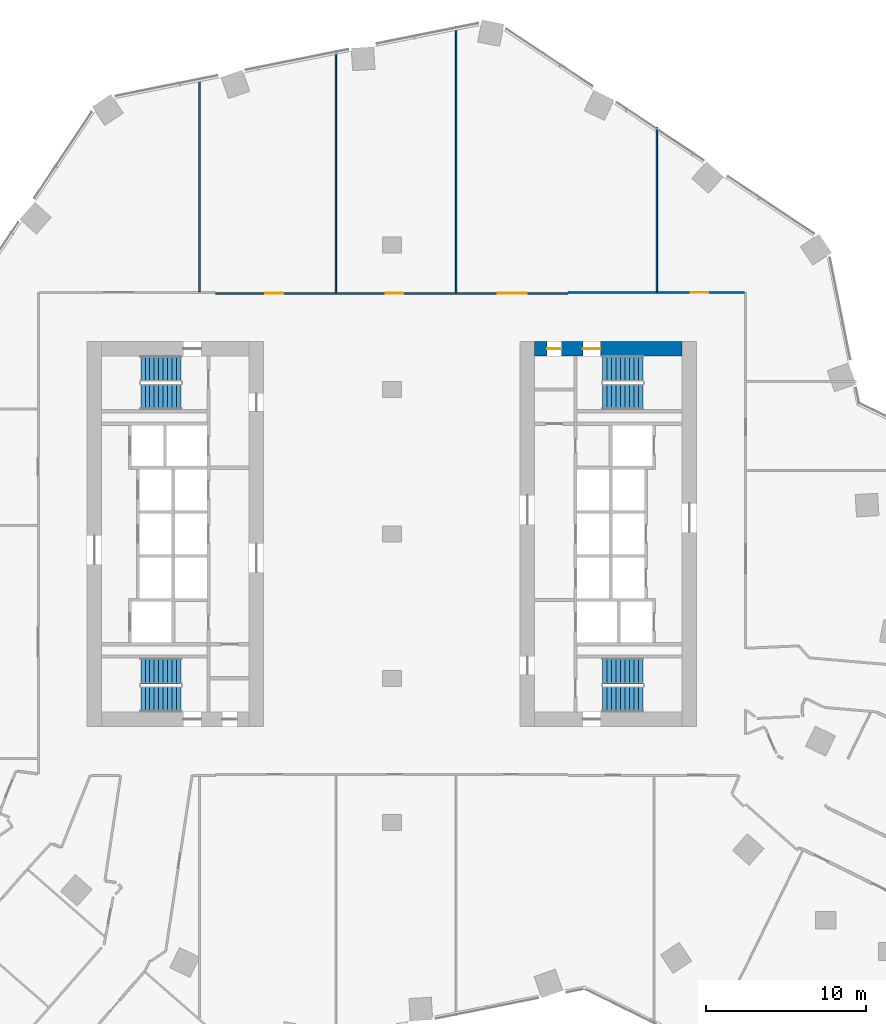
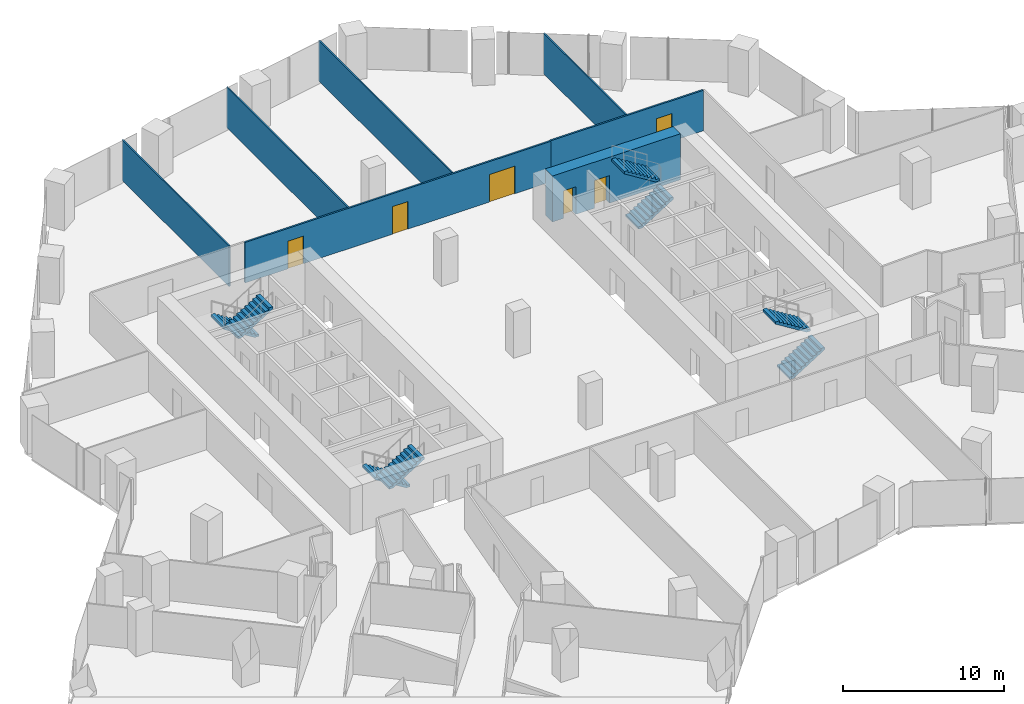
# One storey, part 32 of 38: 8 stair flights, 7 walls, 6 doors, 6 openings, 4 elements without a shape of their own.
"""IFC4 building model written with IfcOpenShell, lengths in metres."""

from ifc_helpers import new_model, si_unit, direction, frame, frame_2d, origin, place, context, subcontext, project, spatial, polyline, rectangle, outline, extrude, material, layer, layer_set, type_object, element, fill, aggregate, save


model = new_model("IFC4")

# Units and contexts
model_context = context("Model", 3, precision=1e-05, world=origin(), true_north=direction((0.0, 1.0)))
body_context = subcontext(model_context, "Body", "Model", "MODEL_VIEW")
ifc_project = project(units=[si_unit("LENGTHUNIT", "METRE"), si_unit("AREAUNIT", "SQUARE_METRE"), si_unit("VOLUMEUNIT", "CUBIC_METRE"), si_unit("PLANEANGLEUNIT", "RADIAN"), si_unit("MASSUNIT", "GRAM", prefix="KILO")], contexts=[model_context])

# Site, building, storey
site_placement = place(None, origin())
site = spatial("IfcSite", under=ifc_project, at=site_placement, CompositionType="ELEMENT")
building_placement = place(site_placement, origin())
building = spatial("IfcBuilding", under=site, at=building_placement, Name="Orlundy Tower", CompositionType="ELEMENT")
storey_placement = place(building_placement, frame((0.0, 0.0, 62.300048828125)))
storey = spatial("IfcBuildingStorey", under=building, at=storey_placement, Name="L14", CompositionType="ELEMENT", Elevation=62.300048828125)

# Wall, openings, doors
ifc_material_1 = material(Name="Concrete C80/95", Category="concrete")
ifc_layer_1 = layer(ifc_material_1, 0.89990234375)
ifc_layer_set_1 = layer_set([ifc_layer_1], Name="CORE WALL 900 C80/95")
wall_type_1 = type_object("IfcWallType", Name="CORE WALL 900 C80/95", PredefinedType="SHEAR", material=ifc_layer_set_1)
wall_1_placement = place(storey_placement, frame((8.89990234375, 11.550048828125, 0.0), z_axis=(0.0, 0.0, 1.0), x_axis=(1.0, 0.0, 0.0)))
wall_1 = element("IfcWall", 1, at=wall_1_placement, inside=storey, type_object=wall_type_1, Name="Core wall E-N L14", PredefinedType="SHEAR", context=body_context, shape_type="SweptSolid", body=[
    extrude(rectangle(XDim=9.2001953125, YDim=0.89990234375, at=frame_2d((4.60009765625, 0.0))), origin(), (0.0, 0.0, 1.0), 3.5),
])
opening_1_placement = place(wall_1_placement, frame((3.0, 0.0, 0.0)))
opening_1 = element("IfcOpeningElement", 2, at=opening_1_placement, cuts=wall_1, Name="Opening 13062", PredefinedType="OPENING", context=body_context, shape_type="SweptSolid", body=[
    extrude(rectangle(XDim=1.10009765625, YDim=2.10009765625, at=frame_2d((0.550048828125, 1.050048828125))), frame((0.0, 0.4599609375, 0.0), z_axis=(0.0, -1.0, 0.0), x_axis=(1.0, 0.0, 0.0)), (0.0, 0.0, 1.0), 0.919921875),
])
opening_2_placement = place(wall_1_placement, frame((0.77001953125, 0.0, 0.0)))
opening_2 = element("IfcOpeningElement", 3, at=opening_2_placement, cuts=wall_1, Name="Opening 13064", PredefinedType="OPENING", context=body_context, shape_type="SweptSolid", body=[
    extrude(rectangle(XDim=0.89990234375, YDim=2.10009765625, at=frame_2d((0.449951171875, 1.050048828125))), frame((0.0, 0.4599609375, 0.0), z_axis=(0.0, -1.0, 0.0), x_axis=(1.0, 0.0, 0.0)), (0.0, 0.0, 1.0), 0.919921875),
])
ifc_material_2 = material(Name="Timber door set", Category="wood")
door_type_1 = type_object("IfcDoorType", Name="Room Door 900x2100", OperationType="SINGLE_SWING_LEFT", PredefinedType="DOOR", material=ifc_material_2)
door_1_placement = place(opening_2_placement, origin())
door_1 = element("IfcDoor", 4, at=door_1_placement, inside=storey, type_object=door_type_1, Name="Store door 13064", OperationType="SINGLE_SWING_LEFT", OverallHeight=2.10009765625, OverallWidth=0.89990234375, PredefinedType="DOOR", context=body_context, shape_type="SweptSolid", body=[
    extrude(rectangle(XDim=0.89990234375, YDim=2.10009765625, at=frame_2d((0.449951171875, 1.050048828125))), frame((0.0, 0.02490234375, 0.0), z_axis=(0.0, -1.0, 0.0), x_axis=(1.0, 0.0, 0.0)), (0.0, 0.0, 1.0), 0.050048828125),
])
fill(opening_2, door_1)
ifc_material_3 = material(Name="Steel door set", Category="steel")
door_type_2 = type_object("IfcDoorType", Name="Stair Door 1100x2100", OperationType="SINGLE_SWING_LEFT", PredefinedType="DOOR", material=ifc_material_3)
door_2_placement = place(opening_1_placement, origin())
door_2 = element("IfcDoor", 5, at=door_2_placement, inside=storey, type_object=door_type_2, Name="Stair door 13062", OperationType="SINGLE_SWING_LEFT", OverallHeight=2.10009765625, OverallWidth=1.10009765625, PredefinedType="DOOR", context=body_context, shape_type="SweptSolid", body=[
    extrude(rectangle(XDim=1.10009765625, YDim=2.10009765625, at=frame_2d((0.550048828125, 1.050048828125))), frame((0.0, 0.02490234375, 0.0), z_axis=(0.0, -1.0, 0.0), x_axis=(1.0, 0.0, 0.0)), (0.0, 0.0, 1.0), 0.050048828125),
])
fill(opening_1, door_2)

# Walls
ifc_material_4 = material(Name="Gypsum board partition")
ifc_layer_2 = layer(ifc_material_4, 0.10009765625)
ifc_layer_set_2 = layer_set([ifc_layer_2], Name="Floor partition 100")
wall_type_2 = type_object("IfcWallType", Name="Floor partition 100", PredefinedType="PARTITIONING", material=ifc_layer_set_2)
wall_2_placement = place(storey_placement, frame((16.52099609375, 15.114013671875, 0.0), z_axis=(0.0, 0.0, 1.0), x_axis=(0.0, 1.0, 0.0)))
element("IfcWall", 6, at=wall_2_placement, inside=storey, type_object=wall_type_2, Name="wall-int-L14-088", PredefinedType="PARTITIONING", context=body_context, shape_type="SweptSolid", body=[
    extrude(rectangle(XDim=10.22802734375, YDim=0.10009765625, at=frame_2d((5.114013671875, 0.0))), origin(), (0.0, 0.0, 1.0), 3.079833984375),
])
wall_3_placement = place(storey_placement, frame((4.0, 15.06298828125, 0.0), z_axis=(0.0, 0.0, 1.0), x_axis=(0.0, 1.0, 0.0)))
element("IfcWall", 7, at=wall_3_placement, inside=storey, type_object=wall_type_2, Name="wall-int-L14-091", PredefinedType="PARTITIONING", context=body_context, shape_type="SweptSolid", body=[
    extrude(rectangle(XDim=16.590087890625, YDim=0.10009765625, at=frame_2d((8.294921875, 0.0))), origin(), (0.0, 0.0, 1.0), 3.079833984375),
])
wall_4_placement = place(storey_placement, frame((-3.4951171875, 15.06298828125, 0.0), z_axis=(0.0, 0.0, 1.0), x_axis=(0.0, 1.0, 0.0)))
element("IfcWall", 8, at=wall_4_placement, inside=storey, type_object=wall_type_2, Name="wall-int-L14-093", PredefinedType="PARTITIONING", context=body_context, shape_type="SweptSolid", body=[
    extrude(rectangle(XDim=15.087890625, YDim=0.10009765625, at=frame_2d((7.5439453125, 0.0))), origin(), (0.0, 0.0, 1.0), 3.079833984375),
])
wall_5_placement = place(storey_placement, frame((-12.0, 15.114013671875, 0.0), z_axis=(0.0, 0.0, 1.0), x_axis=(0.0, 1.0, 0.0)))
element("IfcWall", 9, at=wall_5_placement, inside=storey, type_object=wall_type_2, Name="wall-int-L14-095", PredefinedType="PARTITIONING", context=body_context, shape_type="SweptSolid", body=[
    extrude(rectangle(XDim=13.3330078125, YDim=0.10009765625, at=frame_2d((6.66650390625, 0.0))), origin(), (0.0, 0.0, 1.0), 3.079833984375),
])

# Wall, openings, doors
ifc_material_5 = material(Name="Gypsum board partition, double layer")
ifc_layer_3 = layer(ifc_material_5, 0.125)
ifc_layer_set_3 = layer_set([ifc_layer_3], Name="Floor partition 125")
wall_type_3 = type_object("IfcWallType", Name="Floor partition 125", PredefinedType="PARTITIONING", material=ifc_layer_set_3)
wall_6_placement = place(storey_placement, frame((-10.989990234375, 15.0009765625, 0.0), z_axis=(0.0, 0.0, 1.0), x_axis=(1.0, 0.0, 0.0)))
wall_6 = element("IfcWall", 10, at=wall_6_placement, inside=storey, type_object=wall_type_3, Name="wall-int-L14-050", PredefinedType="PARTITIONING", context=body_context, shape_type="SweptSolid", body=[
    extrude(rectangle(XDim=21.97998046875, YDim=0.125, at=frame_2d((10.989990234375, 0.0))), origin(), (0.0, 0.0, 1.0), 3.079833984375),
])
opening_3_placement = place(wall_6_placement, frame((17.590087890625, 0.0, 0.0)))
opening_3 = element("IfcOpeningElement", 11, at=opening_3_placement, cuts=wall_6, Name="Opening 13136", PredefinedType="OPENING", context=body_context, shape_type="SweptSolid", body=[
    extrude(rectangle(XDim=1.800048828125, YDim=2.10009765625, at=frame_2d((0.89990234375, 1.050048828125))), frame((0.0, 0.072509765625, 0.0), z_axis=(0.0, -1.0, 0.0), x_axis=(1.0, 0.0, 0.0)), (0.0, 0.0, 1.0), 0.14501953125),
])
opening_4_placement = place(wall_6_placement, frame((10.594970703125, 0.0, 0.0)))
opening_4 = element("IfcOpeningElement", 12, at=opening_4_placement, cuts=wall_6, Name="Opening 13137", PredefinedType="OPENING", context=body_context, shape_type="SweptSolid", body=[
    extrude(rectangle(XDim=1.10009765625, YDim=2.10009765625, at=frame_2d((0.550048828125, 1.050048828125))), frame((0.0, 0.072509765625, 0.0), z_axis=(0.0, -1.0, 0.0), x_axis=(1.0, 0.0, 0.0)), (0.0, 0.0, 1.0), 0.14501953125),
])
opening_5_placement = place(wall_6_placement, frame((3.10009765625, 0.0, 0.0)))
opening_5 = element("IfcOpeningElement", 13, at=opening_5_placement, cuts=wall_6, Name="Opening 13138", PredefinedType="OPENING", context=body_context, shape_type="SweptSolid", body=[
    extrude(rectangle(XDim=1.10009765625, YDim=2.10009765625, at=frame_2d((0.550048828125, 1.050048828125))), frame((0.0, 0.072509765625, 0.0), z_axis=(0.0, -1.0, 0.0), x_axis=(1.0, 0.0, 0.0)), (0.0, 0.0, 1.0), 0.14501953125),
])
ifc_material_6 = material(Name="Timber door leaf", Category="wood")
door_type_3 = type_object("IfcDoorType", Name="Floor door double 1800 FD30S", OperationType="NOTDEFINED", PredefinedType="DOOR", material=ifc_material_6)
door_3_placement = place(opening_3_placement, origin())
door_3 = element("IfcDoor", 14, at=door_3_placement, inside=storey, type_object=door_type_3, Name="Door 13136", OperationType="DOUBLE_DOOR_SINGLE_SWING", OverallHeight=2.10009765625, OverallWidth=1.800048828125, PredefinedType="DOOR", context=body_context, shape_type="SweptSolid", body=[
    extrude(rectangle(XDim=1.800048828125, YDim=2.10009765625, at=frame_2d((0.89990234375, 1.050048828125))), frame((0.0, 0.02490234375, 0.0), z_axis=(0.0, -1.0, 0.0), x_axis=(1.0, 0.0, 0.0)), (0.0, 0.0, 1.0), 0.050048828125),
])
fill(opening_3, door_3)
ifc_material_7 = material(Name="Timber door leaf", Category="wood")
door_type_4 = type_object("IfcDoorType", Name="Floor door xwide 1100 FD30S", OperationType="NOTDEFINED", PredefinedType="DOOR", material=ifc_material_7)
door_4_placement = place(opening_4_placement, origin())
door_4 = element("IfcDoor", 15, at=door_4_placement, inside=storey, type_object=door_type_4, Name="Door 13137", OperationType="SINGLE_SWING_RIGHT", OverallHeight=2.10009765625, OverallWidth=1.10009765625, PredefinedType="DOOR", context=body_context, shape_type="SweptSolid", body=[
    extrude(rectangle(XDim=1.10009765625, YDim=2.10009765625, at=frame_2d((0.550048828125, 1.050048828125))), frame((0.0, 0.02490234375, 0.0), z_axis=(0.0, -1.0, 0.0), x_axis=(1.0, 0.0, 0.0)), (0.0, 0.0, 1.0), 0.050048828125),
])
fill(opening_4, door_4)
door_5_placement = place(opening_5_placement, origin())
door_5 = element("IfcDoor", 16, at=door_5_placement, inside=storey, type_object=door_type_4, Name="Door 13138", OperationType="SINGLE_SWING_LEFT", OverallHeight=2.10009765625, OverallWidth=1.10009765625, PredefinedType="DOOR", context=body_context, shape_type="SweptSolid", body=[
    extrude(rectangle(XDim=1.10009765625, YDim=2.10009765625, at=frame_2d((0.550048828125, 1.050048828125))), frame((0.0, 0.02490234375, 0.0), z_axis=(0.0, -1.0, 0.0), x_axis=(1.0, 0.0, 0.0)), (0.0, 0.0, 1.0), 0.050048828125),
])
fill(opening_5, door_5)

# Wall, opening, door
wall_7_placement = place(storey_placement, frame((10.990966796875, 15.051025390625, 0.0), z_axis=(0.0, 0.0, 1.0), x_axis=(1.0, 0.0, 0.0)))
wall_7 = element("IfcWall", 17, at=wall_7_placement, inside=storey, type_object=wall_type_3, Name="wall-int-L14-052", PredefinedType="PARTITIONING", context=body_context, shape_type="SweptSolid", body=[
    extrude(rectangle(XDim=10.9970703125, YDim=0.125, at=frame_2d((5.49853515625, 0.0))), origin(), (0.0, 0.0, 1.0), 3.079833984375),
])
opening_6_placement = place(wall_7_placement, frame((7.6298828125, 0.0, 0.0)))
opening_6 = element("IfcOpeningElement", 18, at=opening_6_placement, cuts=wall_7, Name="Opening 13135", PredefinedType="OPENING", context=body_context, shape_type="SweptSolid", body=[
    extrude(rectangle(XDim=1.10009765625, YDim=2.10009765625, at=frame_2d((0.550048828125, 1.050048828125))), frame((0.0, 0.072509765625, 0.0), z_axis=(0.0, -1.0, 0.0), x_axis=(1.0, 0.0, 0.0)), (0.0, 0.0, 1.0), 0.14501953125),
])
door_6_placement = place(opening_6_placement, origin())
door_6 = element("IfcDoor", 19, at=door_6_placement, inside=storey, type_object=door_type_4, Name="Door 13135", OperationType="SINGLE_SWING_RIGHT", OverallHeight=2.10009765625, OverallWidth=1.10009765625, PredefinedType="DOOR", context=body_context, shape_type="SweptSolid", body=[
    extrude(rectangle(XDim=1.10009765625, YDim=2.10009765625, at=frame_2d((0.550048828125, 1.050048828125))), frame((0.0, 0.02490234375, 0.0), z_axis=(0.0, -1.0, 0.0), x_axis=(1.0, 0.0, 0.0)), (0.0, 0.0, 1.0), 0.050048828125),
])
fill(opening_6, door_6)

# Stair, stair flights
ifc_material_8 = material(Name="Concrete C50/60", Category="concrete")
stair_type = type_object("IfcStairType", Name="Exit Stair 20 risers", PredefinedType="HALF_TURN_STAIR", material=ifc_material_8)
stair_1_placement = place(storey_placement, origin())
stair_1 = element("IfcStair", 20, at=stair_1_placement, inside=storey, type_object=stair_type, Name="L14 Exit Stair ST-W1", PredefinedType="HALF_TURN_STAIR")
ifc_material_9 = material(Name="Concrete C50/60", Category="concrete")
stair_flight_type = type_object("IfcStairFlightType", Name="Stair Flight 10 risers", PredefinedType="STRAIGHT", material=ifc_material_9)
stair_flight_1_placement = place(storey_placement, frame((-13.139892578125, 10.300048828125, 0.0), z_axis=(0.0, 0.0, 1.0), x_axis=(-1.0, 0.0, 0.0)))
stair_flight_1 = element("IfcStairFlight", 21, at=stair_flight_1_placement, type_object=stair_flight_type, Name="ST-W1 flight 1", NumberOfRisers=10, NumberOfTreads=9, PredefinedType="STRAIGHT", RiserHeight=0.175, TreadLength=0.28, context=body_context, shape_type="SweptSolid", body=[
    extrude(outline(polyline([(0.0, 0.0), (0.0, 0.175048828125), (0.280029296875, 0.175048828125), (0.280029296875, 0.35009765625), (0.56005859375, 0.35009765625), (0.56005859375, 0.52490234375), (0.840087890625, 0.52490234375), (0.840087890625, 0.699951171875), (1.1201171875, 0.699951171875), (1.1201171875, 0.875), (1.39990234375, 0.875), (1.39990234375, 1.050048828125), (1.679931640625, 1.050048828125), (1.679931640625, 1.22509765625), (1.9599609375, 1.22509765625), (1.9599609375, 1.39990234375), (2.239990234375, 1.39990234375), (2.239990234375, 1.574951171875), (2.52001953125, 1.574951171875), (2.52001953125, 1.75), (2.52001953125, 1.398193359375), (0.28271484375, 0.0), (0.0, 0.0)])), frame((0.0, 0.800048828125, 0.0), z_axis=(0.0, -1.0, 0.0), x_axis=(1.0, 0.0, 0.0)), (0.0, 0.0, 1.0), 1.60009765625),
])
stair_flight_2_placement = place(storey_placement, frame((-15.659912109375, 8.550048828125, 1.75), z_axis=(0.0, 0.0, 1.0), x_axis=(1.0, 0.0, 0.0)))
stair_flight_2 = element("IfcStairFlight", 22, at=stair_flight_2_placement, type_object=stair_flight_type, Name="ST-W1 flight 2", NumberOfRisers=10, NumberOfTreads=9, PredefinedType="STRAIGHT", RiserHeight=0.175, TreadLength=0.28, context=body_context, shape_type="SweptSolid", body=[
    extrude(outline(polyline([(0.0, 0.0), (0.0, 0.175048828125), (0.280029296875, 0.175048828125), (0.280029296875, 0.35009765625), (0.56005859375, 0.35009765625), (0.56005859375, 0.52490234375), (0.840087890625, 0.52490234375), (0.840087890625, 0.699951171875), (1.1201171875, 0.699951171875), (1.1201171875, 0.875), (1.39990234375, 0.875), (1.39990234375, 1.050048828125), (1.679931640625, 1.050048828125), (1.679931640625, 1.22509765625), (1.9599609375, 1.22509765625), (1.9599609375, 1.39990234375), (2.239990234375, 1.39990234375), (2.239990234375, 1.574951171875), (2.52001953125, 1.574951171875), (2.52001953125, 1.75), (2.52001953125, 1.398193359375), (0.28271484375, 0.0), (0.0, 0.0)])), frame((0.0, 0.800048828125, 0.0), z_axis=(0.0, -1.0, 0.0), x_axis=(1.0, 0.0, 0.0)), (0.0, 0.0, 1.0), 1.60009765625),
])
aggregate(stair_1, [stair_flight_1, stair_flight_2])

stair_2_placement = place(storey_placement, origin())
stair_2 = element("IfcStair", 23, at=stair_2_placement, inside=storey, type_object=stair_type, Name="L14 Exit Stair ST-W2", PredefinedType="HALF_TURN_STAIR")
stair_flight_3_placement = place(storey_placement, frame((-13.139892578125, -8.550048828125, 0.0), z_axis=(0.0, 0.0, 1.0), x_axis=(-1.0, 0.0, 0.0)))
stair_flight_3 = element("IfcStairFlight", 24, at=stair_flight_3_placement, type_object=stair_flight_type, Name="ST-W2 flight 1", NumberOfRisers=10, NumberOfTreads=9, PredefinedType="STRAIGHT", RiserHeight=0.175, TreadLength=0.28, context=body_context, shape_type="SweptSolid", body=[
    extrude(outline(polyline([(0.0, 0.0), (0.0, 0.175048828125), (0.280029296875, 0.175048828125), (0.280029296875, 0.35009765625), (0.56005859375, 0.35009765625), (0.56005859375, 0.52490234375), (0.840087890625, 0.52490234375), (0.840087890625, 0.699951171875), (1.1201171875, 0.699951171875), (1.1201171875, 0.875), (1.39990234375, 0.875), (1.39990234375, 1.050048828125), (1.679931640625, 1.050048828125), (1.679931640625, 1.22509765625), (1.9599609375, 1.22509765625), (1.9599609375, 1.39990234375), (2.239990234375, 1.39990234375), (2.239990234375, 1.574951171875), (2.52001953125, 1.574951171875), (2.52001953125, 1.75), (2.52001953125, 1.398193359375), (0.28271484375, 0.0), (0.0, 0.0)])), frame((0.0, 0.800048828125, 0.0), z_axis=(0.0, -1.0, 0.0), x_axis=(1.0, 0.0, 0.0)), (0.0, 0.0, 1.0), 1.60009765625),
])
stair_flight_4_placement = place(storey_placement, frame((-15.659912109375, -10.300048828125, 1.75), z_axis=(0.0, 0.0, 1.0), x_axis=(1.0, 0.0, 0.0)))
stair_flight_4 = element("IfcStairFlight", 25, at=stair_flight_4_placement, type_object=stair_flight_type, Name="ST-W2 flight 2", NumberOfRisers=10, NumberOfTreads=9, PredefinedType="STRAIGHT", RiserHeight=0.175, TreadLength=0.28, context=body_context, shape_type="SweptSolid", body=[
    extrude(outline(polyline([(0.0, 0.0), (0.0, 0.175048828125), (0.280029296875, 0.175048828125), (0.280029296875, 0.35009765625), (0.56005859375, 0.35009765625), (0.56005859375, 0.52490234375), (0.840087890625, 0.52490234375), (0.840087890625, 0.699951171875), (1.1201171875, 0.699951171875), (1.1201171875, 0.875), (1.39990234375, 0.875), (1.39990234375, 1.050048828125), (1.679931640625, 1.050048828125), (1.679931640625, 1.22509765625), (1.9599609375, 1.22509765625), (1.9599609375, 1.39990234375), (2.239990234375, 1.39990234375), (2.239990234375, 1.574951171875), (2.52001953125, 1.574951171875), (2.52001953125, 1.75), (2.52001953125, 1.398193359375), (0.28271484375, 0.0), (0.0, 0.0)])), frame((0.0, 0.800048828125, 0.0), z_axis=(0.0, -1.0, 0.0), x_axis=(1.0, 0.0, 0.0)), (0.0, 0.0, 1.0), 1.60009765625),
])
aggregate(stair_2, [stair_flight_3, stair_flight_4])

stair_3_placement = place(storey_placement, origin())
stair_3 = element("IfcStair", 26, at=stair_3_placement, inside=storey, type_object=stair_type, Name="L14 Exit Stair ST-E1", PredefinedType="HALF_TURN_STAIR")
stair_flight_5_placement = place(storey_placement, frame((13.139892578125, -10.300048828125, 0.0), z_axis=(0.0, 0.0, 1.0), x_axis=(1.0, 0.0, 0.0)))
stair_flight_5 = element("IfcStairFlight", 27, at=stair_flight_5_placement, type_object=stair_flight_type, Name="ST-E1 flight 1", NumberOfRisers=10, NumberOfTreads=9, PredefinedType="STRAIGHT", RiserHeight=0.175, TreadLength=0.28, context=body_context, shape_type="SweptSolid", body=[
    extrude(outline(polyline([(0.0, 0.0), (0.0, 0.175048828125), (0.280029296875, 0.175048828125), (0.280029296875, 0.35009765625), (0.56005859375, 0.35009765625), (0.56005859375, 0.52490234375), (0.840087890625, 0.52490234375), (0.840087890625, 0.699951171875), (1.1201171875, 0.699951171875), (1.1201171875, 0.875), (1.39990234375, 0.875), (1.39990234375, 1.050048828125), (1.679931640625, 1.050048828125), (1.679931640625, 1.22509765625), (1.9599609375, 1.22509765625), (1.9599609375, 1.39990234375), (2.239990234375, 1.39990234375), (2.239990234375, 1.574951171875), (2.52001953125, 1.574951171875), (2.52001953125, 1.75), (2.52001953125, 1.398193359375), (0.28271484375, 0.0), (0.0, 0.0)])), frame((0.0, 0.800048828125, 0.0), z_axis=(0.0, -1.0, 0.0), x_axis=(1.0, 0.0, 0.0)), (0.0, 0.0, 1.0), 1.60009765625),
])
stair_flight_6_placement = place(storey_placement, frame((15.659912109375, -8.550048828125, 1.75), z_axis=(0.0, 0.0, 1.0), x_axis=(-1.0, 0.0, 0.0)))
stair_flight_6 = element("IfcStairFlight", 28, at=stair_flight_6_placement, type_object=stair_flight_type, Name="ST-E1 flight 2", NumberOfRisers=10, NumberOfTreads=9, PredefinedType="STRAIGHT", RiserHeight=0.175, TreadLength=0.28, context=body_context, shape_type="SweptSolid", body=[
    extrude(outline(polyline([(0.0, 0.0), (0.0, 0.175048828125), (0.280029296875, 0.175048828125), (0.280029296875, 0.35009765625), (0.56005859375, 0.35009765625), (0.56005859375, 0.52490234375), (0.840087890625, 0.52490234375), (0.840087890625, 0.699951171875), (1.1201171875, 0.699951171875), (1.1201171875, 0.875), (1.39990234375, 0.875), (1.39990234375, 1.050048828125), (1.679931640625, 1.050048828125), (1.679931640625, 1.22509765625), (1.9599609375, 1.22509765625), (1.9599609375, 1.39990234375), (2.239990234375, 1.39990234375), (2.239990234375, 1.574951171875), (2.52001953125, 1.574951171875), (2.52001953125, 1.75), (2.52001953125, 1.398193359375), (0.28271484375, 0.0), (0.0, 0.0)])), frame((0.0, 0.800048828125, 0.0), z_axis=(0.0, -1.0, 0.0), x_axis=(1.0, 0.0, 0.0)), (0.0, 0.0, 1.0), 1.60009765625),
])
aggregate(stair_3, [stair_flight_5, stair_flight_6])

stair_4_placement = place(storey_placement, origin())
stair_4 = element("IfcStair", 29, at=stair_4_placement, inside=storey, type_object=stair_type, Name="L14 Exit Stair ST-E2", PredefinedType="HALF_TURN_STAIR")
stair_flight_7_placement = place(storey_placement, frame((13.139892578125, 8.550048828125, 0.0), z_axis=(0.0, 0.0, 1.0), x_axis=(1.0, 0.0, 0.0)))
stair_flight_7 = element("IfcStairFlight", 30, at=stair_flight_7_placement, type_object=stair_flight_type, Name="ST-E2 flight 1", NumberOfRisers=10, NumberOfTreads=9, PredefinedType="STRAIGHT", RiserHeight=0.175, TreadLength=0.28, context=body_context, shape_type="SweptSolid", body=[
    extrude(outline(polyline([(0.0, 0.0), (0.0, 0.175048828125), (0.280029296875, 0.175048828125), (0.280029296875, 0.35009765625), (0.56005859375, 0.35009765625), (0.56005859375, 0.52490234375), (0.840087890625, 0.52490234375), (0.840087890625, 0.699951171875), (1.1201171875, 0.699951171875), (1.1201171875, 0.875), (1.39990234375, 0.875), (1.39990234375, 1.050048828125), (1.679931640625, 1.050048828125), (1.679931640625, 1.22509765625), (1.9599609375, 1.22509765625), (1.9599609375, 1.39990234375), (2.239990234375, 1.39990234375), (2.239990234375, 1.574951171875), (2.52001953125, 1.574951171875), (2.52001953125, 1.75), (2.52001953125, 1.398193359375), (0.28271484375, 0.0), (0.0, 0.0)])), frame((0.0, 0.800048828125, 0.0), z_axis=(0.0, -1.0, 0.0), x_axis=(1.0, 0.0, 0.0)), (0.0, 0.0, 1.0), 1.60009765625),
])
stair_flight_8_placement = place(storey_placement, frame((15.659912109375, 10.300048828125, 1.75), z_axis=(0.0, 0.0, 1.0), x_axis=(-1.0, 0.0, 0.0)))
stair_flight_8 = element("IfcStairFlight", 31, at=stair_flight_8_placement, type_object=stair_flight_type, Name="ST-E2 flight 2", NumberOfRisers=10, NumberOfTreads=9, PredefinedType="STRAIGHT", RiserHeight=0.175, TreadLength=0.28, context=body_context, shape_type="SweptSolid", body=[
    extrude(outline(polyline([(0.0, 0.0), (0.0, 0.175048828125), (0.280029296875, 0.175048828125), (0.280029296875, 0.35009765625), (0.56005859375, 0.35009765625), (0.56005859375, 0.52490234375), (0.840087890625, 0.52490234375), (0.840087890625, 0.699951171875), (1.1201171875, 0.699951171875), (1.1201171875, 0.875), (1.39990234375, 0.875), (1.39990234375, 1.050048828125), (1.679931640625, 1.050048828125), (1.679931640625, 1.22509765625), (1.9599609375, 1.22509765625), (1.9599609375, 1.39990234375), (2.239990234375, 1.39990234375), (2.239990234375, 1.574951171875), (2.52001953125, 1.574951171875), (2.52001953125, 1.75), (2.52001953125, 1.398193359375), (0.28271484375, 0.0), (0.0, 0.0)])), frame((0.0, 0.800048828125, 0.0), z_axis=(0.0, -1.0, 0.0), x_axis=(1.0, 0.0, 0.0)), (0.0, 0.0, 1.0), 1.60009765625),
])
aggregate(stair_4, [stair_flight_7, stair_flight_8])

save(model, "model.ifc")
